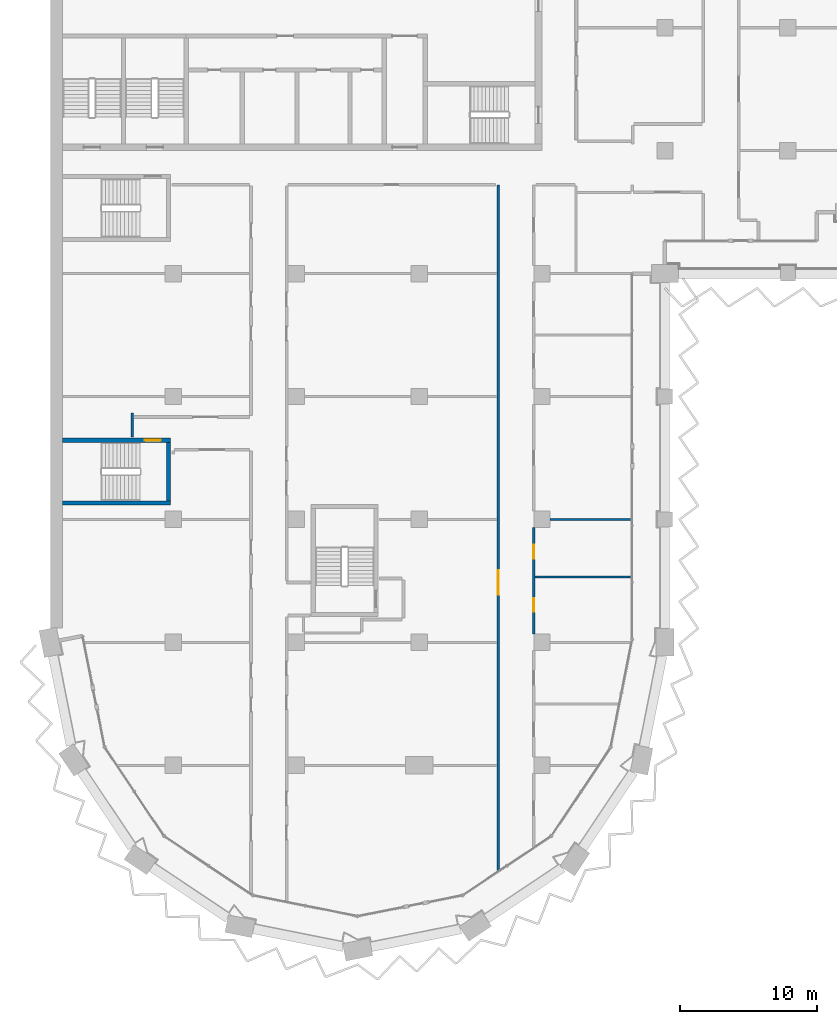
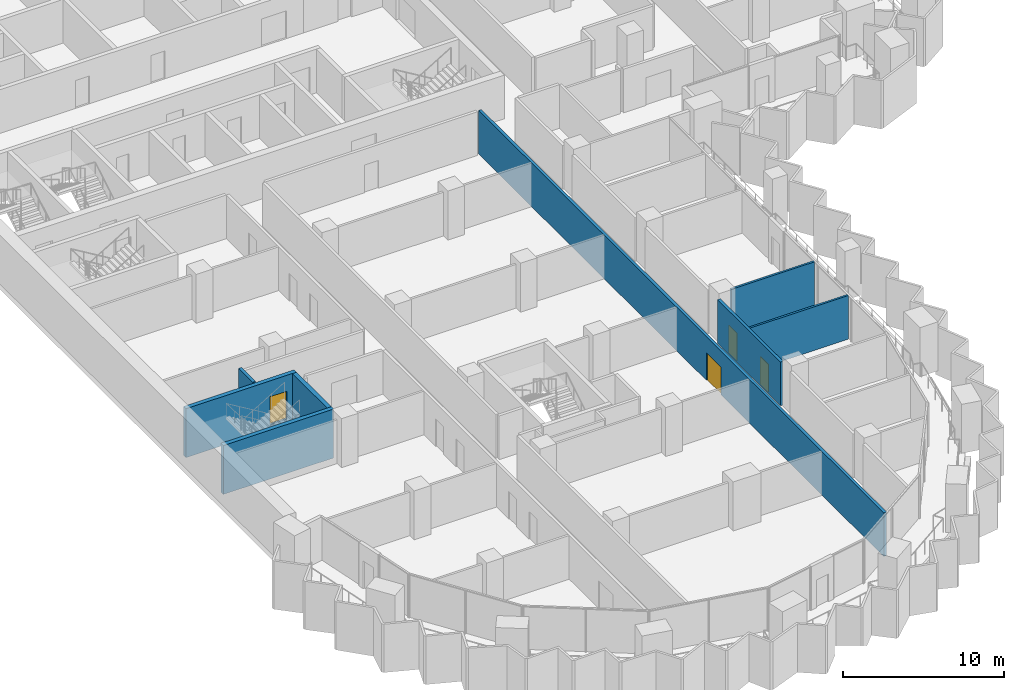
# One storey, part 9 of 22: 8 walls, 4 doors, 4 openings.
"""IFC4 building model written with IfcOpenShell, lengths in metres."""

from ifc_helpers import new_model, si_unit, direction, frame, frame_2d, origin, place, context, subcontext, project, spatial, rectangle, extrude, material, layer, layer_set, type_object, element, fill, save


model = new_model("IFC4")

# Units and contexts
model_context = context("Model", 3, precision=1e-05, world=origin(), true_north=direction((0.0, 1.0)))
body_context = subcontext(model_context, "Body", "Model", "MODEL_VIEW")
ifc_project = project(units=[si_unit("LENGTHUNIT", "METRE"), si_unit("AREAUNIT", "SQUARE_METRE"), si_unit("VOLUMEUNIT", "CUBIC_METRE"), si_unit("PLANEANGLEUNIT", "RADIAN"), si_unit("MASSUNIT", "GRAM", prefix="KILO")], contexts=[model_context])

# Site, building, storey
site_placement = place(None, origin())
site = spatial("IfcSite", under=ifc_project, at=site_placement, CompositionType="ELEMENT")
building_placement = place(site_placement, origin())
building = spatial("IfcBuilding", under=site, at=building_placement, Name="Hunhe Ridgeline Campus", CompositionType="ELEMENT")
storey_placement = place(building_placement, frame((0.0, 0.0, 141.199951171875)))
storey = spatial("IfcBuildingStorey", under=building, at=storey_placement, Name="L35", CompositionType="ELEMENT", Elevation=141.199951171875)

# Wall
ifc_material_1 = material(Name="Gypsum board partition")
ifc_layer_1 = layer(ifc_material_1, 0.199951171875)
ifc_layer_set_1 = layer_set([ifc_layer_1], Name="Corridor partition 200 gypsum board on steel studs")
wall_type_1 = type_object("IfcWallType", Name="Corridor partition 200 gypsum board on steel studs", PredefinedType="PARTITIONING", material=ifc_layer_set_1)
wall_1_placement = place(storey_placement, frame((6.0, 42.053955078125, 0.0), z_axis=(0.0, 0.0, 1.0), x_axis=(0.0, 1.0, 0.0)))
element("IfcWall", 1, at=wall_1_placement, inside=storey, type_object=wall_type_1, Name="F-L35-wall-059", PredefinedType="PARTITIONING", context=body_context, shape_type="SweptSolid", body=[
    extrude(rectangle(XDim=1.74609375, YDim=0.199951171875, at=frame_2d((0.873046875, 0.0))), origin(), (0.0, 0.0, 1.0), 3.300048828125),
])

# Wall, opening, door
wall_2_placement = place(storey_placement, frame((32.800048828125, 10.294189453125, 0.0), z_axis=(0.0, 0.0, 1.0), x_axis=(0.0, 1.0, 0.0)))
wall_2 = element("IfcWall", 2, at=wall_2_placement, inside=storey, type_object=wall_type_1, Name="F-L35-wall-068", PredefinedType="PARTITIONING", context=body_context, shape_type="SweptSolid", body=[
    extrude(rectangle(XDim=50.205810546875, YDim=0.199951171875, at=frame_2d((25.10302734375, 0.0))), origin(), (0.0, 0.0, 1.0), 3.300048828125),
])
opening_1_placement = place(wall_2_placement, frame((20.186279296875, 0.0, 0.0)))
opening_1 = element("IfcOpeningElement", 3, at=opening_1_placement, cuts=wall_2, Name="Opening RD2-012", PredefinedType="OPENING", context=body_context, shape_type="SweptSolid", body=[
    extrude(rectangle(XDim=1.800048828125, YDim=2.10009765625, at=frame_2d((0.89990234375, 1.050048828125))), frame((0.0, 0.10009765625, 0.0), z_axis=(0.0, -1.0, 0.0), x_axis=(1.0, 0.0, 0.0)), (0.0, 0.0, 1.0), 0.199951171875),
])
ifc_material_2 = material(Name="Timber door leaf", Category="wood")
door_type_1 = type_object("IfcDoorType", Name="Double fire door 1800x2100 timber FD60", OperationType="DOUBLE_DOOR_SINGLE_SWING", PredefinedType="DOOR", material=ifc_material_2)
door_1_placement = place(opening_1_placement, origin())
door_1 = element("IfcDoor", 4, at=door_1_placement, inside=storey, type_object=door_type_1, Name="F-L35-door-012", OperationType="DOUBLE_DOOR_SINGLE_SWING", OverallHeight=2.10009765625, OverallWidth=1.800048828125, PredefinedType="DOOR", context=body_context, shape_type="SweptSolid", body=[
    extrude(rectangle(XDim=1.800048828125, YDim=2.10009765625, at=frame_2d((0.89990234375, 1.050048828125))), frame((0.0, 0.02490234375, 0.0), z_axis=(0.0, -1.0, 0.0), x_axis=(1.0, 0.0, 0.0)), (0.0, 0.0, 1.0), 0.050048828125),
])
fill(opening_1, door_1)

# Wall, openings, doors
wall_3_placement = place(storey_placement, frame((35.39990234375, 35.39990234375, 0.0), z_axis=(0.0, 0.0, 1.0), x_axis=(0.0, -1.0, 0.0)))
wall_3 = element("IfcWall", 5, at=wall_3_placement, inside=storey, type_object=wall_type_1, Name="F-L35-wall-071", PredefinedType="PARTITIONING", context=body_context, shape_type="SweptSolid", body=[
    extrude(rectangle(XDim=7.7998046875, YDim=0.199951171875, at=frame_2d((3.89990234375, 0.0))), origin(), (0.0, 0.0, 1.0), 3.300048828125),
])
opening_2_placement = place(wall_3_placement, frame((5.161376953125, 0.0, 0.0)))
opening_2 = element("IfcOpeningElement", 6, at=opening_2_placement, cuts=wall_3, Name="Opening RD1-011", PredefinedType="OPENING", context=body_context, shape_type="SweptSolid", body=[
    extrude(rectangle(XDim=1.0, YDim=2.10009765625, at=frame_2d((0.5, 1.050048828125))), frame((0.0, 0.10009765625, 0.0), z_axis=(0.0, -1.0, 0.0), x_axis=(1.0, 0.0, 0.0)), (0.0, 0.0, 1.0), 0.199951171875),
])
opening_3_placement = place(wall_3_placement, frame((1.26123046875, 0.0, 0.0)))
opening_3 = element("IfcOpeningElement", 7, at=opening_3_placement, cuts=wall_3, Name="Opening RD1-014", PredefinedType="OPENING", context=body_context, shape_type="SweptSolid", body=[
    extrude(rectangle(XDim=1.0, YDim=2.10009765625, at=frame_2d((0.5, 1.050048828125))), frame((0.0, 0.10009765625, 0.0), z_axis=(0.0, -1.0, 0.0), x_axis=(1.0, 0.0, 0.0)), (0.0, 0.0, 1.0), 0.199951171875),
])
door_type_2 = type_object("IfcDoorType", Name="Single fire door 1000x2100 timber FD60", OperationType="NOTDEFINED", PredefinedType="DOOR", material=ifc_material_2)
door_2_placement = place(opening_2_placement, origin())
door_2 = element("IfcDoor", 8, at=door_2_placement, inside=storey, type_object=door_type_2, Name="F-L35-door-011", OperationType="SINGLE_SWING_LEFT", OverallHeight=2.10009765625, OverallWidth=1.0, PredefinedType="DOOR", context=body_context, shape_type="SweptSolid", body=[
    extrude(rectangle(XDim=1.0, YDim=2.10009765625, at=frame_2d((0.5, 1.050048828125))), frame((0.0, 0.02490234375, 0.0), z_axis=(0.0, -1.0, 0.0), x_axis=(1.0, 0.0, 0.0)), (0.0, 0.0, 1.0), 0.050048828125),
])
fill(opening_2, door_2)
door_3_placement = place(opening_3_placement, origin())
door_3 = element("IfcDoor", 9, at=door_3_placement, inside=storey, type_object=door_type_2, Name="F-L35-door-014", OperationType="SINGLE_SWING_LEFT", OverallHeight=2.10009765625, OverallWidth=1.0, PredefinedType="DOOR", context=body_context, shape_type="SweptSolid", body=[
    extrude(rectangle(XDim=1.0, YDim=2.10009765625, at=frame_2d((0.5, 1.050048828125))), frame((0.0, 0.02490234375, 0.0), z_axis=(0.0, -1.0, 0.0), x_axis=(1.0, 0.0, 0.0)), (0.0, 0.0, 1.0), 0.050048828125),
])
fill(opening_3, door_3)

# Walls
ifc_layer_2 = layer(ifc_material_1, 0.14990234375)
ifc_layer_set_2 = layer_set([ifc_layer_2], Name="Room partition 150 gypsum board on steel studs")
wall_type_2 = type_object("IfcWallType", Name="Room partition 150 gypsum board on steel studs", PredefinedType="PARTITIONING", material=ifc_layer_set_2)
wall_4_placement = place(storey_placement, frame((35.5, 31.800048828125, 0.0), z_axis=(0.0, 0.0, 1.0), x_axis=(1.0, 0.0, 0.0)))
element("IfcWall", 10, at=wall_4_placement, inside=storey, type_object=wall_type_2, Name="F-L35-wall-017", PredefinedType="PARTITIONING", context=body_context, shape_type="SweptSolid", body=[
    extrude(rectangle(XDim=7.044921875, YDim=0.14990234375, at=frame_2d((3.5224609375, 0.0))), origin(), (0.0, 0.0, 1.0), 3.300048828125),
])
wall_5_placement = place(storey_placement, frame((36.60009765625, 36.0, 0.0), z_axis=(0.0, 0.0, 1.0), x_axis=(1.0, 0.0, 0.0)))
element("IfcWall", 11, at=wall_5_placement, inside=storey, type_object=wall_type_2, Name="F-L35-wall-022", PredefinedType="PARTITIONING", context=body_context, shape_type="SweptSolid", body=[
    extrude(rectangle(XDim=5.94482421875, YDim=0.14990234375, at=frame_2d((2.972412109375, 0.0))), origin(), (0.0, 0.0, 1.0), 3.300048828125),
])
ifc_material_3 = material(Name="Concrete C70", Category="concrete")
ifc_layer_3 = layer(ifc_material_3, 0.300048828125)
ifc_layer_set_3 = layer_set([ifc_layer_3], Name="Stair wall 300 reinforced concrete C70")
wall_type_3 = type_object("IfcWallType", Name="Stair wall 300 reinforced concrete C70", PredefinedType="SOLIDWALL", material=ifc_layer_set_3)
wall_6_placement = place(storey_placement, frame((0.89990234375, 37.199951171875, -0.39990234375), z_axis=(0.0, 0.0, 1.0), x_axis=(1.0, 0.0, 0.0)))
element("IfcWall", 12, at=wall_6_placement, inside=storey, type_object=wall_type_3, Name="L35 core wall 3", PredefinedType="SOLIDWALL", context=body_context, shape_type="SweptSolid", body=[
    extrude(rectangle(XDim=7.900146484375, YDim=0.300048828125, at=frame_2d((3.9501953125, 0.0))), origin(), (0.0, 0.0, 1.0), 3.699951171875),
])

# Wall, opening, door
wall_7_placement = place(storey_placement, frame((0.89990234375, 41.800048828125, -0.39990234375), z_axis=(0.0, 0.0, 1.0), x_axis=(1.0, 0.0, 0.0)))
wall_7 = element("IfcWall", 13, at=wall_7_placement, inside=storey, type_object=wall_type_3, Name="L35 core wall 4", PredefinedType="SOLIDWALL", context=body_context, shape_type="SweptSolid", body=[
    extrude(rectangle(XDim=7.900146484375, YDim=0.300048828125, at=frame_2d((3.9501953125, 0.0))), origin(), (0.0, 0.0, 1.0), 3.699951171875),
])
opening_4_placement = place(wall_7_placement, frame((6.0, 0.0, 0.39990234375)))
opening_4 = element("IfcOpeningElement", 14, at=opening_4_placement, cuts=wall_7, Name="Opening CD21", PredefinedType="OPENING", context=body_context, shape_type="SweptSolid", body=[
    extrude(rectangle(XDim=1.199951171875, YDim=2.10009765625, at=frame_2d((0.60009765625, 1.050048828125))), frame((0.0, 0.14990234375, 0.0), z_axis=(0.0, -1.0, 0.0), x_axis=(1.0, 0.0, 0.0)), (0.0, 0.0, 1.0), 0.300048828125),
])
ifc_material_4 = material(Name="Hollow metal fire door leaf")
door_type_3 = type_object("IfcDoorType", Name="Stair door 1200x2100 FD60", OperationType="SINGLE_SWING_LEFT", PredefinedType="DOOR", material=ifc_material_4)
door_4_placement = place(opening_4_placement, origin())
door_4 = element("IfcDoor", 15, at=door_4_placement, inside=storey, type_object=door_type_3, Name="L35 door W1", OperationType="SINGLE_SWING_LEFT", OverallHeight=2.10009765625, OverallWidth=1.199951171875, PredefinedType="DOOR", context=body_context, shape_type="SweptSolid", body=[
    extrude(rectangle(XDim=1.199951171875, YDim=2.10009765625, at=frame_2d((0.60009765625, 1.050048828125))), frame((0.0, 0.02490234375, 0.0), z_axis=(0.0, -1.0, 0.0), x_axis=(1.0, 0.0, 0.0)), (0.0, 0.0, 1.0), 0.050048828125),
])
fill(opening_4, door_4)

# Wall
wall_8_placement = place(storey_placement, frame((8.64990234375, 37.35009765625, -0.39990234375), z_axis=(0.0, 0.0, 1.0), x_axis=(0.0, 1.0, 0.0)))
element("IfcWall", 16, at=wall_8_placement, inside=storey, type_object=wall_type_3, Name="L35 core wall 36", PredefinedType="SOLIDWALL", context=body_context, shape_type="SweptSolid", body=[
    extrude(rectangle(XDim=4.2998046875, YDim=0.300048828125, at=frame_2d((2.14990234375, 0.0))), origin(), (0.0, 0.0, 1.0), 3.699951171875),
])

save(model, "model.ifc")
